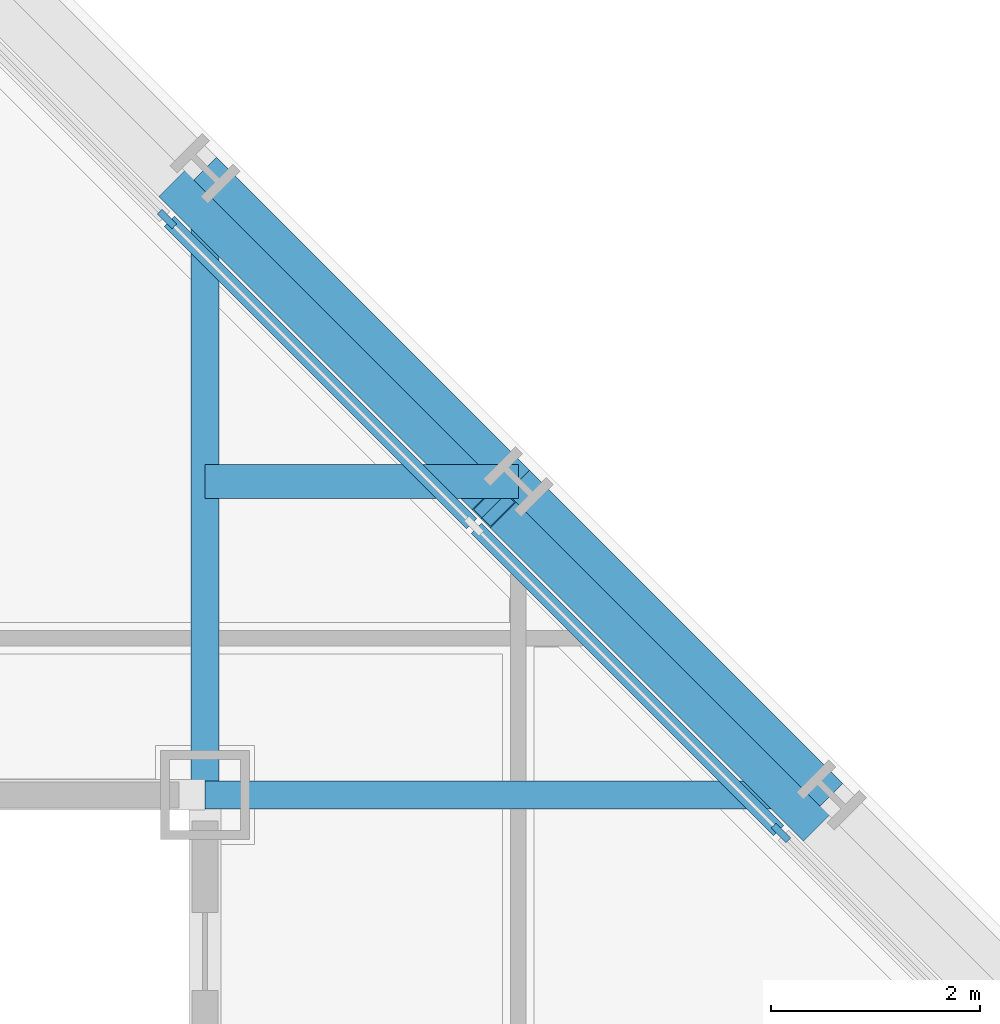
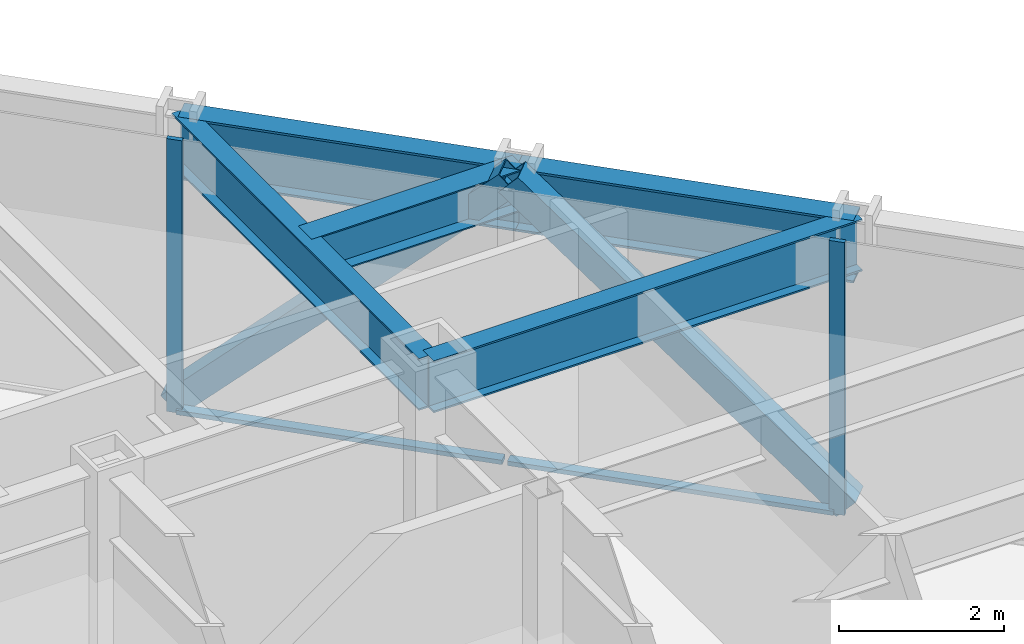
# One storey, part 8 of 15: 6 members, 5 beams, 1 element without a shape of its own.
"""IFC4 building model written with IfcOpenShell, lengths in metres."""

from ifc_helpers import new_model, si_unit, direction, frame, origin, origin_2d, place, context, subcontext, project, spatial, rectangle, hollow_rectangle, i_section, extrude, material, layer, layer_set, material_profile, profile_set, type_object, element, aggregate, save


model = new_model("IFC4")

# Units and contexts
model_context = context("Model", 3, precision=1e-05, world=origin(), true_north=direction((0.0, 1.0)))
body_context = subcontext(model_context, "Body", "Model", "MODEL_VIEW")
ifc_project = project(units=[si_unit("LENGTHUNIT", "METRE"), si_unit("AREAUNIT", "SQUARE_METRE"), si_unit("VOLUMEUNIT", "CUBIC_METRE"), si_unit("PLANEANGLEUNIT", "RADIAN"), si_unit("MASSUNIT", "GRAM", prefix="KILO")], contexts=[model_context])

# Site, building, storey
site_placement = place(None, origin())
site = spatial("IfcSite", under=ifc_project, at=site_placement, CompositionType="ELEMENT")
building_placement = place(site_placement, origin())
building = spatial("IfcBuilding", under=site, at=building_placement, Name="Chuquiago Exchange Tower", CompositionType="ELEMENT")
storey_placement = place(building_placement, frame((0.0, 0.0, 197.10009765625)))
storey = spatial("IfcBuildingStorey", under=building, at=storey_placement, Name="L43", CompositionType="ELEMENT", Elevation=197.10009765625)

# Beam
ifc_material_1 = material(Name="Steel ASTM A992", Category="steel")
ifc_material_profile_1 = material_profile(ifc_material_1, i_section(OverallWidth=0.3251953125, OverallDepth=0.612060546875, WebThickness=0.0126953125, FlangeThickness=0.01904296875, at=origin_2d()), Name="W24X104")
ifc_profile_set_1 = profile_set([ifc_material_profile_1], Name="Steel ASTM A992")
beam_type_1 = type_object("IfcBeamType", Name="B2 W24X104", PredefinedType="BEAM", material=ifc_profile_set_1)
beam_placement = place(storey_placement, frame((33.0, 36.0, 3.73388671875), z_axis=(1.0, 0.0, 0.0), x_axis=(0.0, 1.0, 0.0)))
element("IfcBeam", 1, at=beam_placement, inside=storey, type_object=beam_type_1, Name="FB-L44-corner-33_36-36_36-0", PredefinedType="BEAM", context=body_context, shape_type="SweptSolid", body=[
    extrude(i_section(OverallWidth=0.3251953125, OverallDepth=0.612060546875, WebThickness=0.0126953125, FlangeThickness=0.01904296875, at=origin_2d()), origin(), (0.0, 0.0, 1.0), 3.0),
])

# Curtain wall, members
ifc_material_2 = material(Name="Aluminium curtain wall system", Category="aluminium")
ifc_layer = layer(ifc_material_2, 0.199951171875)
ifc_layer_set = layer_set([ifc_layer], Name="CW3 facet curtain wall")
curtain_wall_type = type_object("IfcCurtainWallType", Name="CW3 facet curtain wall", PredefinedType="NOTDEFINED", material=ifc_layer_set)
curtain_wall_placement = place(storey_placement, origin())
curtain_wall = element("IfcCurtainWall", 2, at=curtain_wall_placement, inside=storey, type_object=curtain_wall_type, Name="CW3 curtain wall L43", PredefinedType="NOTDEFINED")
ifc_material_3 = material(Name="Aluminium mullion, pale anodised", Category="aluminium")
ifc_material_profile_2 = material_profile(ifc_material_3, rectangle(XDim=0.06494140625, YDim=0.199951171875, at=origin_2d()), Name="AL 65x200")
ifc_profile_set_2 = profile_set([ifc_material_profile_2], Name="Aluminium mullion, pale anodised")
member_type_1 = type_object("IfcMemberType", Name="CW3-M mullion 65x200", PredefinedType="MULLION", material=ifc_profile_set_2)
member_1_placement = place(storey_placement, frame((38.51708984375, 32.63427734375, 0.0), z_axis=(0.0, 0.0, 1.0), x_axis=(-0.707106781187, -0.707106781187, 0.0)))
member_1 = element("IfcMember", 3, at=member_1_placement, type_object=member_type_1, Name="CW3 mullion 3", PredefinedType="MULLION", context=body_context, shape_type="SweptSolid", body=[
    extrude(rectangle(XDim=0.06494140625, YDim=0.199951171875, at=origin_2d()), origin(), (0.0, 0.0, 1.0), 4.039794921875),
])
member_2_placement = place(storey_placement, frame((32.63427734375, 38.51708984375, 0.0), z_axis=(0.0, 0.0, 1.0), x_axis=(-0.707106781187, -0.707106781187, 0.0)))
member_2 = element("IfcMember", 4, at=member_2_placement, type_object=member_type_1, Name="CW3 mullion 5", PredefinedType="MULLION", context=body_context, shape_type="SweptSolid", body=[
    extrude(rectangle(XDim=0.06494140625, YDim=0.199951171875, at=origin_2d()), origin(), (0.0, 0.0, 1.0), 4.039794921875),
])
ifc_material_4 = material(Name="Aluminium transom, pale anodised", Category="aluminium")
ifc_material_profile_3 = material_profile(ifc_material_4, rectangle(XDim=0.139892578125, YDim=0.06494140625, at=origin_2d()), Name="AL 140x65")
ifc_profile_set_3 = profile_set([ifc_material_profile_3], Name="Aluminium transom, pale anodised")
member_type_2 = type_object("IfcMemberType", Name="CW3-T transom 65x140", PredefinedType="MULLION", material=ifc_profile_set_3)
member_3_placement = place(storey_placement, frame((38.494140625, 32.6572265625, 0.032470703125), z_axis=(-0.707106781187, 0.707106781187, 0.0), x_axis=(-0.707106781187, -0.707106781187, 0.0)))
member_3 = element("IfcMember", 5, at=member_3_placement, type_object=member_type_2, Name="CW3 transom 3.1", PredefinedType="MULLION", context=body_context, shape_type="SweptSolid", body=[
    extrude(rectangle(XDim=0.139892578125, YDim=0.06494140625, at=origin_2d()), origin(), (0.0, 0.0, 1.0), 4.094970703125),
])
member_4_placement = place(storey_placement, frame((35.552734375, 35.5986328125, 0.032470703125), z_axis=(-0.707106781187, 0.707106781187, 0.0), x_axis=(-0.707106781187, -0.707106781187, 0.0)))
member_4 = element("IfcMember", 6, at=member_4_placement, type_object=member_type_2, Name="CW3 transom 4.1", PredefinedType="MULLION", context=body_context, shape_type="SweptSolid", body=[
    extrude(rectangle(XDim=0.139892578125, YDim=0.06494140625, at=origin_2d()), origin(), (0.0, 0.0, 1.0), 4.094970703125),
])
aggregate(curtain_wall, [member_1, member_2, member_3, member_4])

# Beams
ifc_material_5 = material(Name="Steel ASTM A992", Category="steel")
ifc_material_profile_4 = material_profile(ifc_material_5, i_section(OverallWidth=0.2666015625, OverallDepth=0.76953125, WebThickness=0.015625, FlangeThickness=0.025390625, at=origin_2d()), Name="W30X132")
ifc_profile_set_4 = profile_set([ifc_material_profile_4], Name="Steel ASTM A992")
beam_type_2 = type_object("IfcBeamType", Name="G1 W30X132", PredefinedType="BEAM", material=ifc_profile_set_4)
for number, where, z_axis, x_axis, name in (
    (7, (33.0, 33.0, 3.655029296875), (0.0, 1.0, 0.0), (-1.0, 0.0, 0.0), "FB-L44-girder-33_33-33_39-0"),
    (8, (33.0, 33.0, 3.655029296875), (1.0, 0.0, 0.0), (0.0, 1.0, 0.0), "FB-L44-girder-33_33-39_33-0"),
):
    element("IfcBeam", number, at=place(storey_placement, frame(where, z_axis=z_axis, x_axis=x_axis)), inside=storey, type_object=beam_type_2, Name=name, PredefinedType="BEAM", context=body_context, shape_type="SweptSolid", body=[
        extrude(i_section(OverallWidth=0.2666015625, OverallDepth=0.76953125, WebThickness=0.015625, FlangeThickness=0.025390625, at=origin_2d()), origin(), (0.0, 0.0, 1.0), 6.0),
    ])

# Members
ifc_material_6 = material(Name="Steel ASTM A500 Grade C", Category="steel")
ifc_material_profile_5 = material_profile(ifc_material_6, hollow_rectangle(XDim=0.355712890625, YDim=0.355712890625, WallThickness=0.0146484375, at=origin_2d()), Name="HSS14X14X5/8")
ifc_profile_set_5 = profile_set([ifc_material_profile_5], Name="Steel ASTM A500 Grade C")
member_type_3 = type_object("IfcMemberType", Name="LB2 HSS14X14X5/8", PredefinedType="BRACE", material=ifc_profile_set_5)
for number, where, z_axis, x_axis, name in (
    (9, (38.7685546875, 32.7685546875, 0.0), (-0.51209198167, 0.51209198167, 0.689582195694), (-0.707106781187, -0.707106781187, 0.0), "LB-L43-39_33-36_36"),
    (10, (32.7685546875, 38.7685546875, 0.0), (0.51209198167, -0.51209198167, 0.689582195694), (0.707106781187, 0.707106781187, 0.0), "LB-L43-36_36-33_39"),
):
    element("IfcMember", number, at=place(storey_placement, frame(where, z_axis=z_axis, x_axis=x_axis)), inside=storey, type_object=member_type_3, Name=name, PredefinedType="BRACE", context=body_context, shape_type="SweptSolid", body=[
        extrude(hollow_rectangle(XDim=0.355712890625, YDim=0.355712890625, WallThickness=0.0146484375, at=origin_2d()), origin(), (0.0, 0.0, 1.0), 5.8583984375),
    ])

# Beams
ifc_material_7 = material(Name="Steel ASTM A992", Category="steel")
ifc_material_profile_6 = material_profile(ifc_material_7, i_section(OverallWidth=0.307373046875, OverallDepth=0.927001953125, WebThickness=0.01953125, FlangeThickness=0.031982421875, at=origin_2d()), Name="W36X194")
ifc_profile_set_6 = profile_set([ifc_material_profile_6], Name="Steel ASTM A992")
beam_type_3 = type_object("IfcBeamType", Name="SP3 W36X194", PredefinedType="SPANDREL", material=ifc_profile_set_6)
for number, where, z_axis, x_axis, name in (
    (11, (39.0, 33.0, 3.576416015625), (-0.707106781187, 0.707106781187, 0.0), (-0.707106781187, -0.707106781187, 0.0), "SPB-L44-39_33-36_36"),
    (12, (36.0, 36.0, 3.576416015625), (-0.707106781187, 0.707106781187, 0.0), (-0.707106781187, -0.707106781187, 0.0), "SPB-L44-36_36-33_39"),
):
    element("IfcBeam", number, at=place(storey_placement, frame(where, z_axis=z_axis, x_axis=x_axis)), inside=storey, type_object=beam_type_3, Name=name, PredefinedType="SPANDREL", context=body_context, shape_type="SweptSolid", body=[
        extrude(i_section(OverallWidth=0.307373046875, OverallDepth=0.927001953125, WebThickness=0.01953125, FlangeThickness=0.031982421875, at=origin_2d()), origin(), (0.0, 0.0, 1.0), 4.24267578125),
    ])

save(model, "model.ifc")
